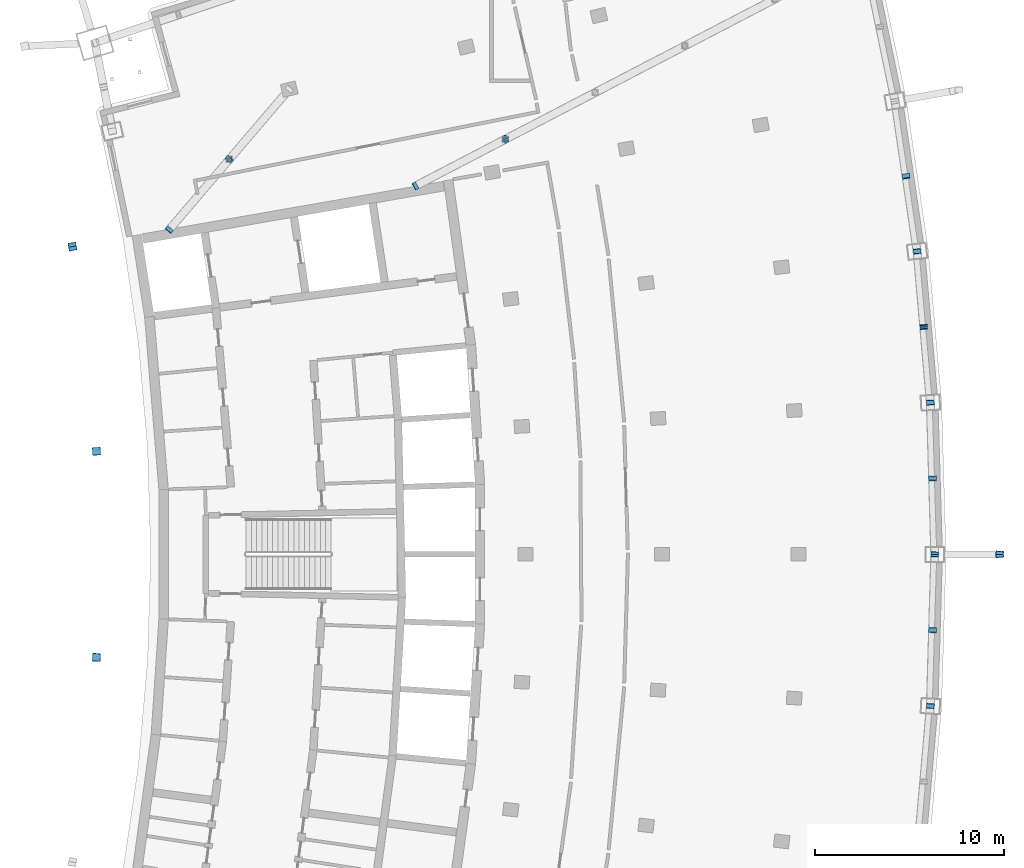
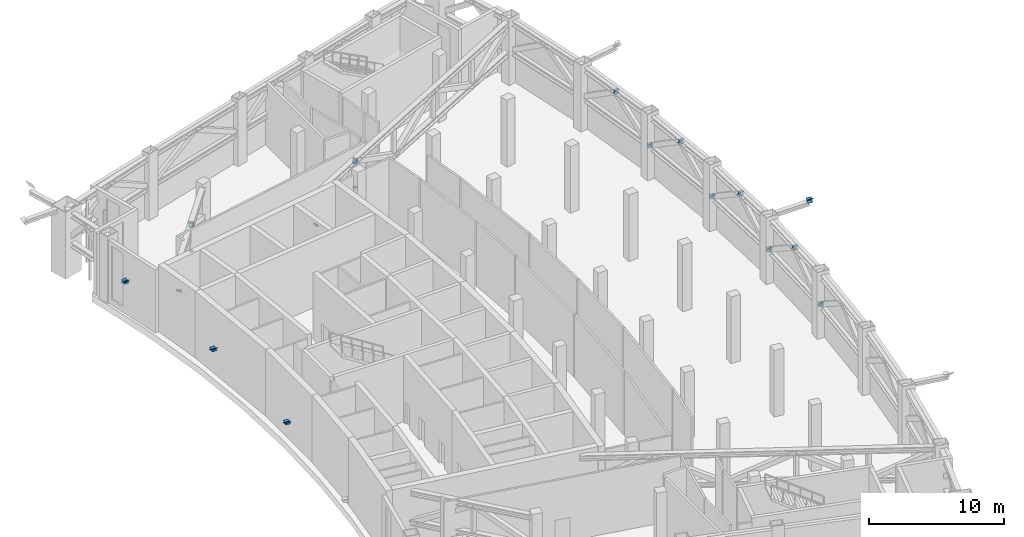
# One storey, part 20 of 23: 34 discrete accessories.
"""IFC4 building model written with IfcOpenShell, lengths in metres."""

from ifc_helpers import new_model, si_unit, direction, frame, origin, origin_2d, place, context, subcontext, project, spatial, rectangle, extrude, material, material_profile, profile_set, type_object, element, save


model = new_model("IFC4")

# Units and contexts
model_context = context("Model", 3, precision=1e-05, world=origin(), true_north=direction((0.0, 1.0)))
body_context = subcontext(model_context, "Body", "Model", "MODEL_VIEW")
ifc_project = project(units=[si_unit("LENGTHUNIT", "METRE"), si_unit("AREAUNIT", "SQUARE_METRE"), si_unit("VOLUMEUNIT", "CUBIC_METRE"), si_unit("PLANEANGLEUNIT", "RADIAN"), si_unit("MASSUNIT", "GRAM", prefix="KILO")], contexts=[model_context])

# Site, building, storey
site_placement = place(None, origin())
site = spatial("IfcSite", under=ifc_project, at=site_placement, CompositionType="ELEMENT")
building_placement = place(site_placement, origin())
building = spatial("IfcBuilding", under=site, at=building_placement, Name="Alderwake Tower", CompositionType="ELEMENT")
storey_placement = place(building_placement, frame((0.0, 0.0, 239.60009765625)))
storey = spatial("IfcBuildingStorey", under=building, at=storey_placement, Name="L59", CompositionType="ELEMENT", Elevation=239.60009765625)

# Discrete accessories
ifc_material_1 = material(Name="Steel ASTM A572 Grade 50", Category="steel")
ifc_material_profile_1 = material_profile(ifc_material_1, rectangle(XDim=0.3046875, YDim=0.3046875, at=origin_2d()), Name="HSS12X12X1/2 cap")
ifc_profile_set_1 = profile_set([ifc_material_profile_1], Name="Steel ASTM A572 Grade 50")
discrete_accessory_type_1 = type_object("IfcDiscreteAccessoryType", Name="End cap plate HSS12X12X1/2", PredefinedType="USERDEFINED", material=ifc_profile_set_1)
discrete_accessory_1_placement = place(storey_placement, frame((20.15869140625, 81.852783203125, 3.014404296875), z_axis=(0.0, 0.0, -1.0), x_axis=(1.0, 0.0, 0.0)))
element("IfcDiscreteAccessory", 1, at=discrete_accessory_1_placement, inside=storey, type_object=discrete_accessory_type_1, Name="End cap OR59NR.P1 S", ObjectType="END CAP", PredefinedType="USERDEFINED", context=body_context, shape_type="SweptSolid", body=[
    extrude(rectangle(XDim=0.3046875, YDim=0.3046875, at=origin_2d()), origin(), (0.0, 0.0, 1.0), 0.02978515625),
])
discrete_accessory_2_placement = place(storey_placement, frame((20.15869140625, 81.852783203125, 5.21533203125), z_axis=(0.0, 0.0, 1.0), x_axis=(1.0, 0.0, 0.0)))
element("IfcDiscreteAccessory", 2, at=discrete_accessory_2_placement, inside=storey, type_object=discrete_accessory_type_1, Name="End cap OR59NR.P1 N", ObjectType="END CAP", PredefinedType="USERDEFINED", context=body_context, shape_type="SweptSolid", body=[
    extrude(rectangle(XDim=0.3046875, YDim=0.3046875, at=origin_2d()), origin(), (0.0, 0.0, 1.0), 0.030029296875),
])
discrete_accessory_3_placement = place(storey_placement, frame((34.73046875, 82.912353515625, 3.014404296875), z_axis=(0.0, 0.0, -1.0), x_axis=(1.0, 0.0, 0.0)))
element("IfcDiscreteAccessory", 3, at=discrete_accessory_3_placement, inside=storey, type_object=discrete_accessory_type_1, Name="End cap OR59NF.P1 S", ObjectType="END CAP", PredefinedType="USERDEFINED", context=body_context, shape_type="SweptSolid", body=[
    extrude(rectangle(XDim=0.3046875, YDim=0.3046875, at=origin_2d()), origin(), (0.0, 0.0, 1.0), 0.02978515625),
])
discrete_accessory_4_placement = place(storey_placement, frame((34.73046875, 82.912353515625, 5.21533203125), z_axis=(0.0, 0.0, 1.0), x_axis=(1.0, 0.0, 0.0)))
element("IfcDiscreteAccessory", 4, at=discrete_accessory_4_placement, inside=storey, type_object=discrete_accessory_type_1, Name="End cap OR59NF.P1 N", ObjectType="END CAP", PredefinedType="USERDEFINED", context=body_context, shape_type="SweptSolid", body=[
    extrude(rectangle(XDim=0.3046875, YDim=0.3046875, at=origin_2d()), origin(), (0.0, 0.0, 1.0), 0.030029296875),
])
ifc_material_2 = material(Name="Steel ASTM A572 Grade 50", Category="steel")
ifc_material_profile_2 = material_profile(ifc_material_2, rectangle(XDim=0.406494140625, YDim=0.406494140625, at=origin_2d()), Name="HSS16X16X5/8 cap")
ifc_profile_set_2 = profile_set([ifc_material_profile_2], Name="Steel ASTM A572 Grade 50")
discrete_accessory_type_2 = type_object("IfcDiscreteAccessoryType", Name="End cap plate HSS16X16X5/8", PredefinedType="USERDEFINED", material=ifc_profile_set_2)
for number, where, z_axis, x_axis, name in (
    (5, (57.166259765625, 52.989501953125, 2.7822265625), (0.073219144265, 0.829816968337, -0.553211312225), (-0.996129850025, 0.087893810296, 0.0), "End cap BT59F05.D2 S"),
    (6, (57.166259765625, 52.989501953125, 2.7822265625), (-0.024464742829, -0.831801256182, -0.554534170788), (0.999567754464, -0.029399051602, 0.0), "End cap BT59F06.D1 S"),
    (7, (57.283203125, 56.99462890625, 5.447509765625), (0.016202434031, 0.83442535262, 0.550882757069), (-0.999811534111, 0.019413816196, 0.0), "End cap BT59F06.D1 N"),
    (8, (57.39990234375, 61.0, 2.7822265625), (0.024464742829, 0.831801256182, -0.554534170788), (-0.999567754464, 0.029399051602, 0.0), "End cap BT59F06.D2 S"),
    (9, (57.283203125, 56.99462890625, 5.447509765625), (-0.024464742829, -0.831801256182, 0.554534170788), (0.999567754464, -0.029399051602, 0.0), "End cap BT59F06.D2 N"),
    (10, (57.39990234375, 61.0, 2.7822265625), (0.024464742829, -0.831801256182, -0.554534170788), (0.999567754464, 0.029399051602, 0.0), "End cap BT59F07.D1 S"),
    (11, (57.283203125, 65.005126953125, 5.447509765625), (-0.024299664424, 0.834288478556, 0.55079239361), (-0.999576101528, -0.029113867035, 0.0), "End cap BT59F07.D1 N"),
    (12, (57.166259765625, 69.010498046875, 2.7822265625), (-0.024464742829, 0.831801256182, -0.554534170788), (-0.999567754464, -0.029399051602, 0.0), "End cap BT59F07.D2 S"),
    (13, (57.283203125, 65.005126953125, 5.447509765625), (0.016312540845, -0.831939583101, 0.554626388734), (0.999807821657, 0.019604074934, 0.0), "End cap BT59F07.D2 N"),
    (14, (57.166259765625, 69.010498046875, 2.7822265625), (0.073219144265, -0.829816968337, -0.553211312225), (0.996129850025, 0.087893810296, 0.0), "End cap BT59F08.D1 S"),
    (15, (56.816162109375, 73.002197265625, 5.447509765625), (-0.073219144265, 0.829816968337, 0.553211312225), (-0.996129850025, -0.087893810296, 0.0), "End cap BT59F08.D1 N"),
    (16, (56.466064453125, 76.99365234375, 2.7822265625), (-0.073219144265, 0.829816968337, -0.553211312225), (-0.996129850025, -0.087893810296, 0.0), "End cap BT59F08.D2 S"),
    (17, (56.816162109375, 73.002197265625, 5.447509765625), (0.073219144265, -0.829816968337, 0.553211312225), (0.996129850025, 0.087893810296, 0.0), "End cap BT59F08.D2 N"),
    (18, (56.466064453125, 76.99365234375, 2.7822265625), (0.114229588585, -0.824084889074, -0.554829430268), (0.990529357563, 0.137301099068, 0.0), "End cap BT59F09.D1 S"),
):
    element("IfcDiscreteAccessory", number, at=place(storey_placement, frame(where, z_axis=z_axis, x_axis=x_axis)), inside=storey, type_object=discrete_accessory_type_2, Name=name, ObjectType="END CAP", PredefinedType="USERDEFINED", context=body_context, shape_type="SweptSolid", body=[
        extrude(rectangle(XDim=0.406494140625, YDim=0.406494140625, at=origin_2d()), origin(), (0.0, 0.0, 1.0), 0.030029296875),
    ])
discrete_accessory_5_placement = place(storey_placement, frame((55.8837890625, 80.9580078125, 5.447509765625), z_axis=(-0.12145450377, 0.825890625634, 0.550593750423), x_axis=(-0.989359135365, -0.145493990495, 0.0)))
element("IfcDiscreteAccessory", 19, at=discrete_accessory_5_placement, inside=storey, type_object=discrete_accessory_type_2, Name="End cap BT59F09.D1 N", ObjectType="END CAP", PredefinedType="USERDEFINED", context=body_context, shape_type="SweptSolid", body=[
    extrude(rectangle(XDim=0.406494140625, YDim=0.406494140625, at=origin_2d()), origin(), (0.0, 0.0, 1.0), 0.0302734375),
])
for number, where, z_axis, x_axis, name in (
    (20, (55.8837890625, 80.9580078125, 5.447509765625), (0.114229588585, -0.824084889074, 0.554829430268), (0.990529357563, 0.137301099068, 0.0), "End cap BT59F09.D2 N"),
    (21, (16.99560546875, 78.149658203125, 2.7822265625), (-0.569557631324, -0.667196082408, -0.48005571783), (0.760564502202, -0.649262379928, 0.0), "End cap OR59NR.D1 S"),
    (22, (20.15869140625, 81.852783203125, 5.447509765625), (0.569557631324, 0.667196082408, 0.48005571783), (-0.760564502202, 0.649262379928, 0.0), "End cap OR59NR.D1 N"),
    (23, (20.15869140625, 81.852783203125, 5.447509765625), (-0.569557631324, -0.667196082408, 0.48005571783), (0.760564502202, -0.649262379928, 0.0), "End cap OR59NR.D2 N"),
    (24, (29.993896484375, 80.447998046875, 2.7822265625), (-0.791079295401, -0.415928289335, -0.448550115949), (0.465370309963, -0.885116079734, 0.0), "End cap OR59NF.D1 S"),
    (25, (34.73046875, 82.912353515625, 5.447509765625), (0.79410169684, 0.413257005498, 0.445669319655), (-0.461637716615, 0.887068553495, 0.0), "End cap OR59NF.D1 N"),
    (26, (34.73046875, 82.912353515625, 5.447509765625), (-0.791079295401, -0.415928289335, 0.448550115949), (0.465370309963, -0.885116079734, 0.0), "End cap OR59NF.D2 N"),
):
    element("IfcDiscreteAccessory", number, at=place(storey_placement, frame(where, z_axis=z_axis, x_axis=x_axis)), inside=storey, type_object=discrete_accessory_type_2, Name=name, ObjectType="END CAP", PredefinedType="USERDEFINED", context=body_context, shape_type="SweptSolid", body=[
        extrude(rectangle(XDim=0.406494140625, YDim=0.406494140625, at=origin_2d()), origin(), (0.0, 0.0, 1.0), 0.030029296875),
    ])
ifc_material_3 = material(Name="Steel ASTM A572 Grade 50", Category="steel")
ifc_material_profile_3 = material_profile(ifc_material_3, rectangle(XDim=0.41552734375, YDim=0.445556640625, at=origin_2d()), Name="W14X342 cap")
ifc_profile_set_3 = profile_set([ifc_material_profile_3], Name="Steel ASTM A572 Grade 50")
discrete_accessory_type_3 = type_object("IfcDiscreteAccessoryType", Name="End cap plate W14X342", PredefinedType="USERDEFINED", material=ifc_profile_set_3)
for number, where, z_axis, x_axis, name in (
    (27, (60.82666015625, 61.0, 6.0), (0.088903584911, 0.743557255619, -0.662735814791), (-0.992927816807, 0.11871963027, 0.0), "End cap BRF5.1.4B1 S"),
    (28, (60.82666015625, 61.0, 6.0), (0.088903584911, -0.743557255619, -0.662735814791), (0.992927816807, 0.11871963027, 0.0), "End cap BRF5.1.7A S"),
):
    element("IfcDiscreteAccessory", number, at=place(storey_placement, frame(where, z_axis=z_axis, x_axis=x_axis)), inside=storey, type_object=discrete_accessory_type_3, Name=name, ObjectType="END CAP", PredefinedType="USERDEFINED", context=body_context, shape_type="SweptSolid", body=[
        extrude(rectangle(XDim=0.41552734375, YDim=0.445556640625, at=origin_2d()), origin(), (0.0, 0.0, 1.0), 0.0302734375),
    ])
for number, where, z_axis, x_axis, name in (
    (29, (13.141357421875, 55.560546875, 6.0), (0.048728980643, 0.446682322562, -0.893364645123), (-0.994102176608, 0.108447510175, 0.0), "End cap BRR5.1.4B1 S"),
    (30, (13.141357421875, 55.560546875, 6.0), (0.0, -0.4472135955, -0.894427191), (1.0, 0.0, 0.0), "End cap BRR5.1.6A S"),
    (31, (13.141357421875, 66.439453125, 6.0), (0.0, 0.4472135955, -0.894427191), (-1.0, 0.0, 0.0), "End cap BRR5.1.6B1 S"),
    (32, (13.141357421875, 66.439453125, 6.0), (0.048728980643, -0.446682322562, -0.893364645123), (0.994102176608, 0.108447510175, 0.0), "End cap BRR5.1.8A S"),
    (33, (11.875, 77.244384765625, 6.0), (-0.056826119483, 0.446490938798, -0.892981877596), (-0.991997911724, -0.126254279674, 0.0), "End cap BRR5.1.8B1 S"),
    (34, (11.875, 77.244384765625, 6.0), (0.105495990526, -0.438214114494, -0.892658381376), (0.972223637158, 0.234053838575, 0.0), "End cap BRR5.1.10A S"),
):
    element("IfcDiscreteAccessory", number, at=place(storey_placement, frame(where, z_axis=z_axis, x_axis=x_axis)), inside=storey, type_object=discrete_accessory_type_3, Name=name, ObjectType="END CAP", PredefinedType="USERDEFINED", context=body_context, shape_type="SweptSolid", body=[
        extrude(rectangle(XDim=0.41552734375, YDim=0.445556640625, at=origin_2d()), origin(), (0.0, 0.0, 1.0), 0.030029296875),
    ])

save(model, "model.ifc")
